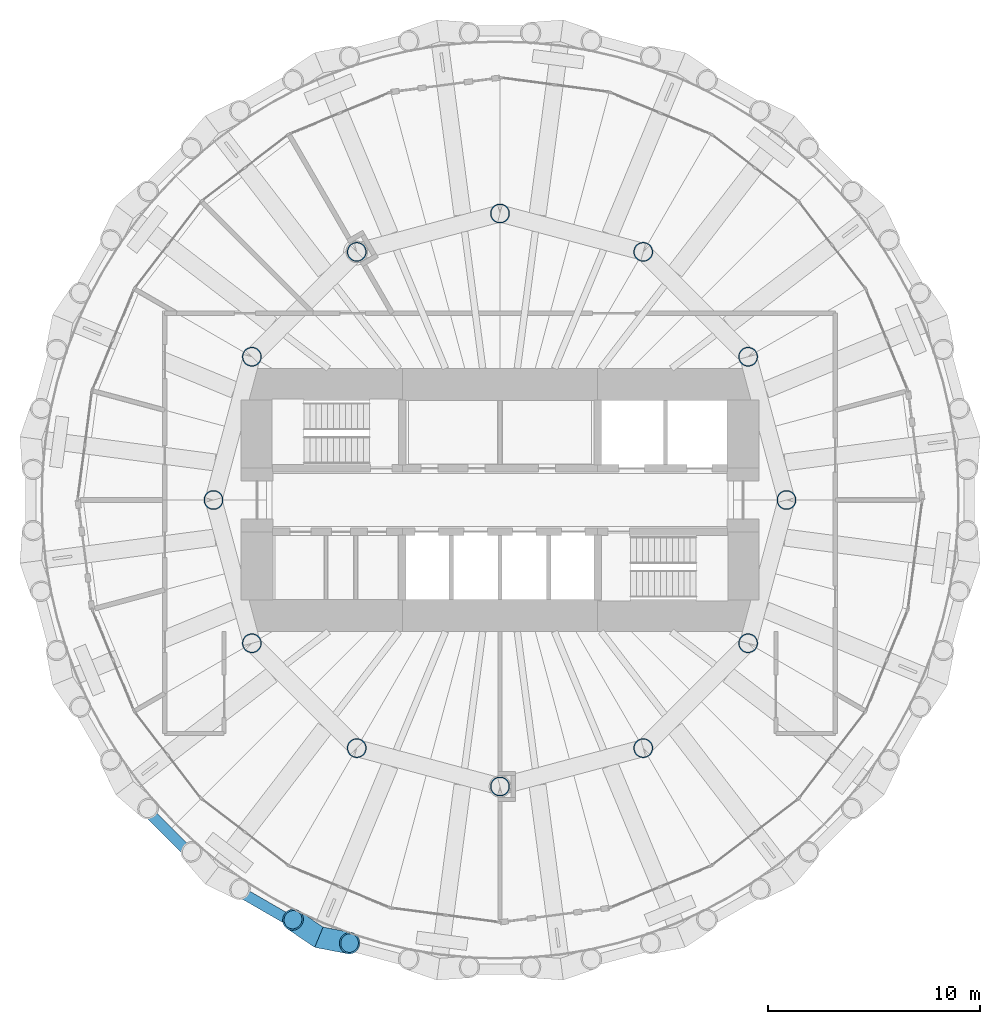
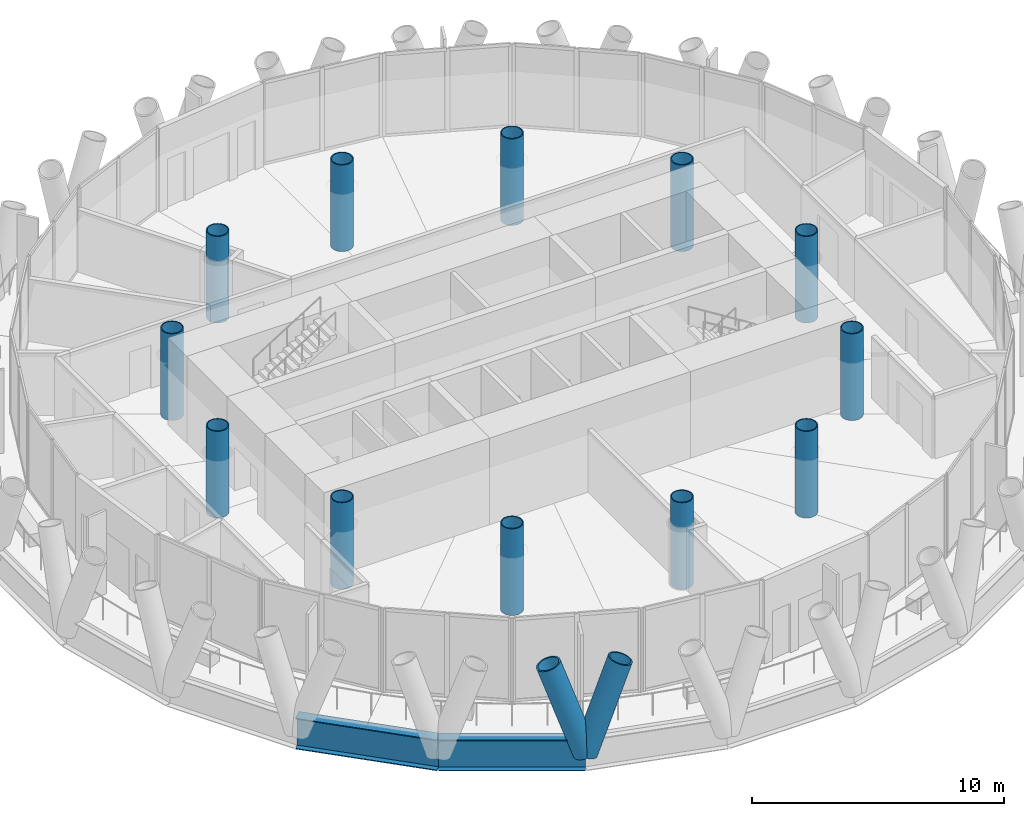
# One storey, part 1 of 16: 12 columns, 2 beams, 2 members.
"""IFC4 building model written with IfcOpenShell, lengths in metres."""

from ifc_helpers import new_model, si_unit, direction, frame, origin, origin_2d, place, context, subcontext, project, spatial, hollow_circle, i_section, extrude, material, material_profile, profile_set, type_object, element, save


model = new_model("IFC4")

# Units and contexts
model_context = context("Model", 3, precision=1e-05, world=origin(), true_north=direction((0.0, 1.0)))
body_context = subcontext(model_context, "Body", "Model", "MODEL_VIEW")
ifc_project = project(units=[si_unit("LENGTHUNIT", "METRE"), si_unit("AREAUNIT", "SQUARE_METRE"), si_unit("VOLUMEUNIT", "CUBIC_METRE"), si_unit("PLANEANGLEUNIT", "RADIAN"), si_unit("MASSUNIT", "GRAM", prefix="KILO")], contexts=[model_context])

# Site, building, storey
site_placement = place(None, origin())
site = spatial("IfcSite", under=ifc_project, at=site_placement, CompositionType="ELEMENT")
building_placement = place(site_placement, origin())
building = spatial("IfcBuilding", under=site, at=building_placement, Name="Qaws Media Tower", CompositionType="ELEMENT")
storey_placement = place(building_placement, frame((0.0, 0.0, 252.800048828125)))
storey = spatial("IfcBuildingStorey", under=building, at=storey_placement, Name="L58", CompositionType="ELEMENT", Elevation=252.800048828125)

# Columns
ifc_material_1 = material(Name="Steel S460", Category="steel")
ifc_material_profile_1 = material_profile(ifc_material_1, hollow_circle(Radius=0.45703125, WallThickness=0.044921875, at=origin_2d()), Name="CHS 914x45")
ifc_profile_set_1 = profile_set([ifc_material_profile_1], Name="Steel S460")
column_type = type_object("IfcColumnType", Name="Inner column CHS 914x45", PredefinedType="COLUMN", material=ifc_profile_set_1)
for number, where, z_axis, x_axis, name in (
    (1, (73.5, 50.0, 0.0), (0.0, 0.0, 1.0), (1.0, 0.0, 0.0), "C3 inner column I01 L58"),
    (2, (71.69140625, 56.75, 0.0), (0.0, 0.0, 1.0), (1.0, 0.0, 0.0), "C3 inner column I02 L58"),
    (3, (66.75, 61.69140625, 0.0), (0.0, 0.0, 1.0), (1.0, 0.0, 0.0), "C3 inner column I03 L58"),
    (4, (60.0, 63.5, 0.0), (0.0, 0.0, 1.0), (1.0, 0.0, 0.0), "C3 inner column I04 L58"),
    (5, (53.25, 61.69140625, 0.0), (0.0, 0.0, 1.0), (1.0, 0.0, 0.0), "C3 inner column I05 L58"),
    (6, (48.30859375, 56.75, 0.0), (0.0, 0.0, 1.0), (1.0, 0.0, 0.0), "C3 inner column I06 L58"),
    (7, (46.5, 50.0, 0.0), (0.0, 0.0, 1.0), (1.0, 0.0, 0.0), "C3 inner column I07 L58"),
    (8, (48.30859375, 43.25, 0.0), (0.0, 0.0, 1.0), (1.0, 0.0, 0.0), "C3 inner column I08 L58"),
    (9, (53.25, 38.30859375, 0.0), (0.0, 0.0, 1.0), (1.0, 0.0, 0.0), "C3 inner column I09 L58"),
    (10, (60.0, 36.5, 0.0), (0.0, 0.0, 1.0), (1.0, 0.0, 0.0), "C3 inner column I10 L58"),
    (11, (66.75, 38.30859375, 0.0), (0.0, 0.0, 1.0), (1.0, 0.0, 0.0), "C3 inner column I11 L58"),
    (12, (71.69140625, 43.25, 0.0), (0.0, 0.0, 1.0), (1.0, 0.0, 0.0), "C3 inner column I12 L58"),
):
    element("IfcColumn", number, at=place(storey_placement, frame(where, z_axis=z_axis, x_axis=x_axis)), inside=storey, type_object=column_type, Name=name, PredefinedType="COLUMN", context=body_context, shape_type="SweptSolid", body=[
        extrude(hollow_circle(Radius=0.45703125, WallThickness=0.044921875, at=origin_2d()), origin(), (0.0, 0.0, 1.0), 4.199951171875),
    ])

# Members
ifc_material_2 = material(Name="Steel S460", Category="steel")
ifc_material_profile_2 = material_profile(ifc_material_2, hollow_circle(Radius=0.508056640625, WallThickness=0.070068359375, at=origin_2d()), Name="CHS 1016x70")
ifc_profile_set_2 = profile_set([ifc_material_profile_2], Name="Steel S460")
member_type = type_object("IfcMemberType", Name="Diagrid member CHS 1016x70", PredefinedType="USERDEFINED", material=ifc_profile_set_2)
member_1_placement = place(storey_placement, frame((51.466064453125, 29.3974609375, -0.91015625), z_axis=(0.324944687554, -0.062312148052, 0.943677988636), x_axis=(0.188330858673, 0.982105639772, 0.0)))
element("IfcMember", 13, at=member_1_placement, inside=storey, type_object=member_type, Name="DG3 diagrid L58 A17", ObjectType="DIAGRID", PredefinedType="USERDEFINED", context=body_context, shape_type="SweptSolid", body=[
    extrude(hollow_circle(Radius=0.508056640625, WallThickness=0.070068359375, at=origin_2d()), origin(), (0.0, 0.0, 1.0), 4.450927734375),
])
member_2_placement = place(storey_placement, frame((51.466064453125, 29.3974609375, -0.91015625), z_axis=(-0.273774120691, 0.185679302452, 0.943700655653), x_axis=(-0.561302707081, -0.827610579333, 0.0)))
element("IfcMember", 14, at=member_2_placement, inside=storey, type_object=member_type, Name="DG3 diagrid L58 B17", ObjectType="DIAGRID", PredefinedType="USERDEFINED", context=body_context, shape_type="SweptSolid", body=[
    extrude(hollow_circle(Radius=0.508056640625, WallThickness=0.070068359375, at=origin_2d()), origin(), (0.0, 0.0, 1.0), 4.45068359375),
])

# Beams
ifc_material_3 = material(Name="Steel S460", Category="steel")
ifc_material_profile_3 = material_profile(ifc_material_3, i_section(OverallWidth=0.5, OverallDepth=1.5, WebThickness=0.02001953125, FlangeThickness=0.0400390625, at=origin_2d()), Name="PG 1500x500")
ifc_profile_set_3 = profile_set([ifc_material_profile_3], Name="Steel S460")
beam_type = type_object("IfcBeamType", Name="Edge ring beam PG 1500x500", PredefinedType="BEAM", material=ifc_profile_set_3)
beam_1_placement = place(storey_placement, frame((42.30810546875, 36.424560546875, -0.91015625), z_axis=(0.707106781187, -0.707106781187, 0.0), x_axis=(0.707106781187, 0.707106781187, 0.0)))
element("IfcBeam", 15, at=beam_1_placement, inside=storey, type_object=beam_type, Name="RB4 edge ring beam L58-15", PredefinedType="BEAM", context=body_context, shape_type="SweptSolid", body=[
    extrude(i_section(OverallWidth=0.5, OverallDepth=1.5, WebThickness=0.02001953125, FlangeThickness=0.0400390625, at=origin_2d()), origin(), (0.0, 0.0, 1.0), 5.821533203125),
])
beam_2_placement = place(storey_placement, frame((46.424560546875, 32.30810546875, -0.91015625), z_axis=(0.866030544062, -0.499991096673, 0.0), x_axis=(0.499991096673, 0.866030544062, 0.0)))
element("IfcBeam", 16, at=beam_2_placement, inside=storey, type_object=beam_type, Name="RB4 edge ring beam L58-16", PredefinedType="BEAM", context=body_context, shape_type="SweptSolid", body=[
    extrude(i_section(OverallWidth=0.5, OverallDepth=1.5, WebThickness=0.02001953125, FlangeThickness=0.0400390625, at=origin_2d()), origin(), (0.0, 0.0, 1.0), 5.8212890625),
])

save(model, "model.ifc")
